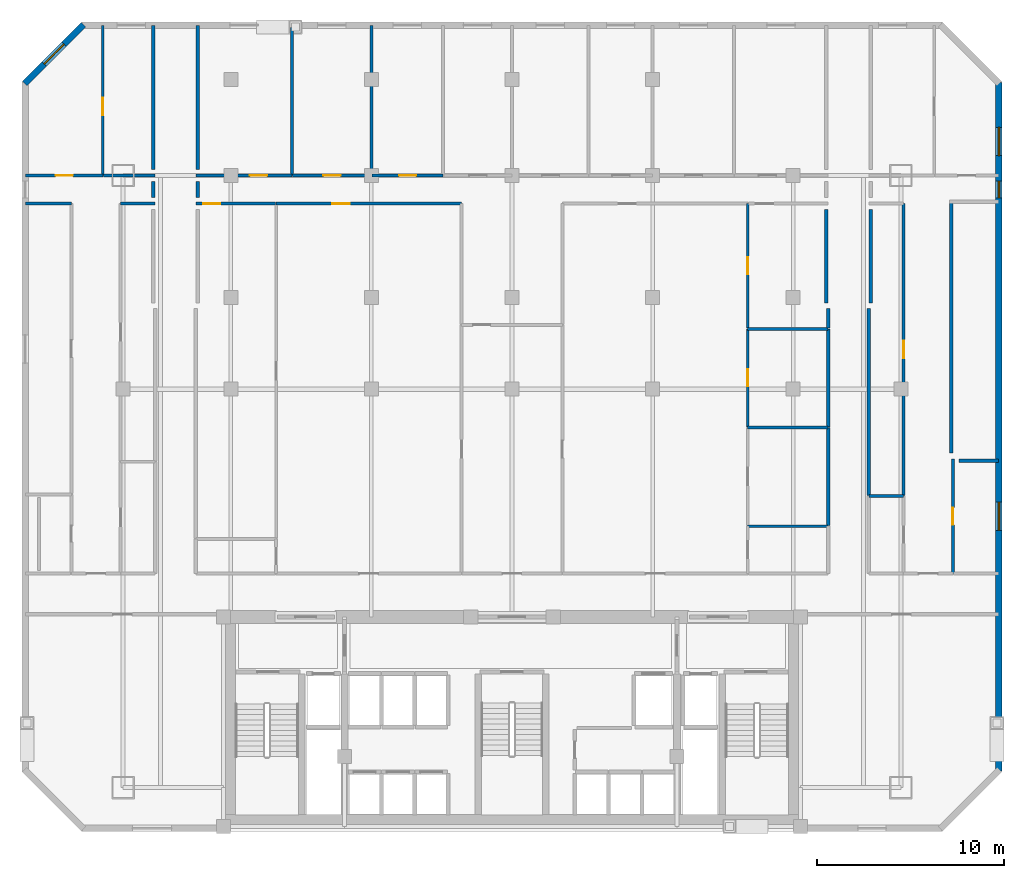
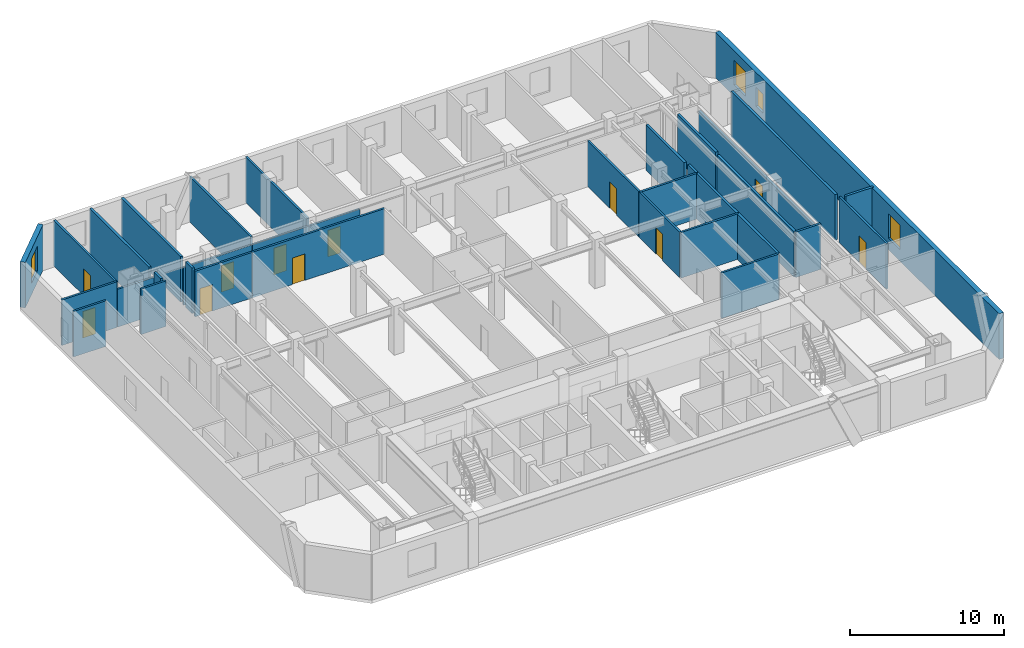
# One storey, part 5 of 8: 34 walls, 11 doors, 4 windows, 15 openings.
"""IFC4 building model written with IfcOpenShell, lengths in metres."""

from ifc_helpers import new_model, si_unit, direction, frame, frame_2d, origin, place, context, subcontext, project, spatial, rectangle, extrude, material, layer, layer_set, type_object, element, fill, save


model = new_model("IFC4")

# Units and contexts
model_context = context("Model", 3, precision=1e-05, world=origin(), true_north=direction((0.0, 1.0)))
body_context = subcontext(model_context, "Body", "Model", "MODEL_VIEW")
ifc_project = project(units=[si_unit("LENGTHUNIT", "METRE"), si_unit("AREAUNIT", "SQUARE_METRE"), si_unit("VOLUMEUNIT", "CUBIC_METRE"), si_unit("PLANEANGLEUNIT", "RADIAN"), si_unit("MASSUNIT", "GRAM", prefix="KILO")], contexts=[model_context])

# Site, building, storey
site_placement = place(None, origin())
site = spatial("IfcSite", under=ifc_project, at=site_placement, CompositionType="ELEMENT")
building_placement = place(site_placement, origin())
building = spatial("IfcBuilding", under=site, at=building_placement, Name="Ventersveld Concourse Tower", CompositionType="ELEMENT")
storey_placement = place(building_placement, frame((0.0, 0.0, 127.25)))
storey = spatial("IfcBuildingStorey", under=building, at=storey_placement, Name="L31", CompositionType="ELEMENT", Elevation=127.25)

# Walls
ifc_material_1 = material(Name="Fire-rated autoclaved aerated masonry blockwork", Category="masonry")
ifc_layer_1 = layer(ifc_material_1, 0.179931640625)
ifc_layer_set_1 = layer_set([ifc_layer_1], Name="Fire-rated autoclaved aerated masonry blockwork")
wall_type_1 = type_object("IfcWallType", Name="WL-CORR-180", PredefinedType="PARTITIONING", material=ifc_layer_set_1)
wall_1_placement = place(storey_placement, frame((47.7900390625, 17.931396484375, 0.0), z_axis=(0.0, 0.0, 1.0), x_axis=(0.0, 1.0, 0.0)))
element("IfcWall", 1, at=wall_1_placement, inside=storey, type_object=wall_type_1, Name="L31 Interior Partition SP-L31-COR-SP-L31-31NE-OFFL0", PredefinedType="PARTITIONING", context=body_context, shape_type="SweptSolid", body=[
    extrude(rectangle(XDim=9.963623046875, YDim=0.179931640625, at=frame_2d((4.98193359375, 0.0))), origin(), (0.0, 0.0, 1.0), 3.60009765625),
])
for number, where, z_axis, x_axis, name in (
    (2, (45.610107421875, 16.326416015625, 0.0), (0.0, 0.0, 1.0), (0.0, 1.0, 0.0), "L31 Interior Partition SP-L31-COR-SP-L31-31N1-DENR"),
    (3, (45.610107421875, 21.590087890625, 0.0), (0.0, 0.0, 1.0), (0.0, 1.0, 0.0), "L31 Interior Partition SP-L31-COR-SP-L31-31N1-DENS"),
):
    element("IfcWall", number, at=place(storey_placement, frame(where, z_axis=z_axis, x_axis=x_axis)), inside=storey, type_object=wall_type_1, Name=name, PredefinedType="PARTITIONING", context=body_context, shape_type="SweptSolid", body=[
        extrude(rectangle(XDim=5.23388671875, YDim=0.179931640625, at=frame_2d((2.616943359375, 0.0))), origin(), (0.0, 0.0, 1.0), 3.60009765625),
    ])
wall_2_placement = place(storey_placement, frame((45.610107421875, 26.85400390625, 0.0), z_axis=(0.0, 0.0, 1.0), x_axis=(0.0, 1.0, 0.0)))
element("IfcWall", 4, at=wall_2_placement, inside=storey, type_object=wall_type_1, Name="L31 Interior Partition SP-L31-COR-SP-L31-31N1-DENS2", PredefinedType="PARTITIONING", context=body_context, shape_type="SweptSolid", body=[
    extrude(rectangle(XDim=1.041015625, YDim=0.179931640625, at=frame_2d((0.5205078125, 0.0))), origin(), (0.0, 0.0, 1.0), 3.60009765625),
])
wall_3_placement = place(storey_placement, frame((9.6201171875, 34.675048828125, 0.0), z_axis=(0.0, 0.0, 1.0), x_axis=(0.0, -1.0, 0.0)))
element("IfcWall", 5, at=wall_3_placement, inside=storey, type_object=wall_type_1, Name="L31 Room Enclosure Wall SP-L31-31NW-LIV", PredefinedType="PARTITIONING", context=body_context, shape_type="SweptSolid", body=[
    extrude(rectangle(XDim=0.85009765625, YDim=0.179931640625, at=frame_2d((0.425048828125, 0.0))), origin(), (0.0, 0.0, 1.0), 3.60009765625),
])
wall_4_placement = place(storey_placement, frame((9.6201171875, 42.989990234375, 0.0), z_axis=(0.0, 0.0, 1.0), x_axis=(0.0, -1.0, 0.0)))
element("IfcWall", 6, at=wall_4_placement, inside=storey, type_object=wall_type_1, Name="L31 Room Enclosure Wall SP-L31-31NW-BR2", PredefinedType="PARTITIONING", context=body_context, shape_type="SweptSolid", body=[
    extrude(rectangle(XDim=7.6650390625, YDim=0.179931640625, at=frame_2d((3.83251953125, 0.0))), origin(), (0.0, 0.0, 1.0), 3.60009765625),
])
wall_5_placement = place(storey_placement, frame((52.178466796875, 33.68505859375, 0.0), z_axis=(0.0, 0.0, 1.0), x_axis=(0.0, -1.0, 0.0)))
element("IfcWall", 7, at=wall_5_placement, inside=storey, type_object=wall_type_1, Name="L31 Room Enclosure Wall SP-L31-31NE-LIV", PredefinedType="PARTITIONING", context=body_context, shape_type="SweptSolid", body=[
    extrude(rectangle(XDim=13.4951171875, YDim=0.179931640625, at=frame_2d((6.74755859375, 0.0))), origin(), (0.0, 0.0, 1.0), 3.60009765625),
])
wall_6_placement = place(storey_placement, frame((47.8798828125, 28.2099609375, 0.0), z_axis=(0.0, 0.0, 1.0), x_axis=(0.0, 1.0, 0.0)))
element("IfcWall", 8, at=wall_6_placement, inside=storey, type_object=wall_type_1, Name="L31 Room Enclosure Wall SP-L31-31NE-OFFL0", PredefinedType="PARTITIONING", context=body_context, shape_type="SweptSolid", body=[
    extrude(rectangle(XDim=4.965087890625, YDim=0.179931640625, at=frame_2d((2.482421875, 0.0))), origin(), (0.0, 0.0, 1.0), 3.60009765625),
])
wall_7_placement = place(storey_placement, frame((52.593505859375, 19.780029296875, 0.0), z_axis=(0.0, 0.0, 1.0), x_axis=(1.0, 0.0, 0.0)))
element("IfcWall", 9, at=wall_7_placement, inside=storey, type_object=wall_type_1, Name="L31 Room Enclosure Wall SP-L31-31NE-KIT", PredefinedType="PARTITIONING", context=body_context, shape_type="SweptSolid", body=[
    extrude(rectangle(XDim=2.096435546875, YDim=0.179931640625, at=frame_2d((1.04833984375, 0.0))), origin(), (0.0, 0.0, 1.0), 3.60009765625),
])
wall_8_placement = place(storey_placement, frame((11.97998046875, 33.824951171875, 0.0), z_axis=(0.0, 0.0, 1.0), x_axis=(0.0, 1.0, 0.0)))
element("IfcWall", 10, at=wall_8_placement, inside=storey, type_object=wall_type_1, Name="L31 Room Enclosure Wall SP-L31-31N1-LIV", PredefinedType="PARTITIONING", context=body_context, shape_type="SweptSolid", body=[
    extrude(rectangle(XDim=0.85009765625, YDim=0.179931640625, at=frame_2d((0.425048828125, 0.0))), origin(), (0.0, 0.0, 1.0), 3.60009765625),
])
wall_9_placement = place(storey_placement, frame((45.52001953125, 33.175048828125, 0.0), z_axis=(0.0, 0.0, 1.0), x_axis=(0.0, -1.0, 0.0)))
element("IfcWall", 11, at=wall_9_placement, inside=storey, type_object=wall_type_1, Name="L31 Room Enclosure Wall SP-L31-31N1-DENS2", PredefinedType="PARTITIONING", context=body_context, shape_type="SweptSolid", body=[
    extrude(rectangle(XDim=4.965087890625, YDim=0.179931640625, at=frame_2d((2.482421875, 0.0))), origin(), (0.0, 0.0, 1.0), 3.60009765625),
])
wall_10_placement = place(storey_placement, frame((11.97998046875, 35.324951171875, 0.0), z_axis=(0.0, 0.0, 1.0), x_axis=(0.0, 1.0, 0.0)))
element("IfcWall", 12, at=wall_10_placement, inside=storey, type_object=wall_type_1, Name="L31 Room Enclosure Wall SP-L31-31N1-BR1", PredefinedType="PARTITIONING", context=body_context, shape_type="SweptSolid", body=[
    extrude(rectangle(XDim=7.6650390625, YDim=0.179931640625, at=frame_2d((3.83251953125, 0.0))), origin(), (0.0, 0.0, 1.0), 3.60009765625),
])
ifc_material_2 = material(Name="Autoclaved aerated masonry blockwork", Category="masonry")
ifc_layer_2 = layer(ifc_material_2, 0.14990234375)
ifc_layer_set_2 = layer_set([ifc_layer_2], Name="Autoclaved aerated masonry blockwork")
wall_type_2 = type_object("IfcWallType", Name="WL-INT-150", PredefinedType="PARTITIONING", material=ifc_layer_set_2)
wall_11_placement = place(storey_placement, frame((2.81005859375, 33.5, 0.0), z_axis=(0.0, 0.0, 1.0), x_axis=(1.0, 0.0, 0.0)))
element("IfcWall", 13, at=wall_11_placement, inside=storey, type_object=wall_type_2, Name="L31 Interior Partition SP-L31-31NW-LIV-SP-L31-31NW-OFFL0", PredefinedType="PARTITIONING", context=body_context, shape_type="SweptSolid", body=[
    extrude(rectangle(XDim=2.439208984375, YDim=0.14990234375, at=frame_2d((1.2197265625, 0.0))), origin(), (0.0, 0.0, 1.0), 3.60009765625),
])
wall_12_placement = place(storey_placement, frame((7.865234375, 33.5, 0.0), z_axis=(0.0, 0.0, 1.0), x_axis=(1.0, 0.0, 0.0)))
element("IfcWall", 14, at=wall_12_placement, inside=storey, type_object=wall_type_2, Name="L31 Interior Partition SP-L31-31NW-LIV-SP-L31-31NW-OFFR1", PredefinedType="PARTITIONING", context=body_context, shape_type="SweptSolid", body=[
    extrude(rectangle(XDim=1.849853515625, YDim=0.14990234375, at=frame_2d((0.9248046875, 0.0))), origin(), (0.0, 0.0, 1.0), 3.60009765625),
])

# Wall, opening, door
wall_13_placement = place(storey_placement, frame((2.81005859375, 35.0, 0.0), z_axis=(0.0, 0.0, 1.0), x_axis=(1.0, 0.0, 0.0)))
wall_13 = element("IfcWall", 15, at=wall_13_placement, inside=storey, type_object=wall_type_2, Name="L31 Interior Partition SP-L31-31NW-LIV-SP-L31-31NW-BR1", PredefinedType="PARTITIONING", context=body_context, shape_type="SweptSolid", body=[
    extrude(rectangle(XDim=4.113037109375, YDim=0.14990234375, at=frame_2d((2.056640625, 0.0))), origin(), (0.0, 0.0, 1.0), 3.60009765625),
])
opening_1_placement = place(wall_13_placement, frame((1.5966796875, 0.0, 0.0)))
opening_1 = element("IfcOpeningElement", 16, at=opening_1_placement, cuts=wall_13, Name="Opening ID1", PredefinedType="OPENING", context=body_context, shape_type="SweptSolid", body=[
    extrude(rectangle(XDim=0.919921875, YDim=2.10009765625, at=frame_2d((0.4599609375, 1.050048828125))), frame((0.0, 0.0849609375, 0.0), z_axis=(0.0, -1.0, 0.0), x_axis=(1.0, 0.0, 0.0)), (0.0, 0.0, 1.0), 0.169921875),
])
ifc_material_3 = material(Name="Solid-core hardwood veneer timber", Category="wood")
door_type = type_object("IfcDoorType", Name="DR-ROOM-092", OperationType="NOTDEFINED", PredefinedType="DOOR", material=ifc_material_3)
door_1_placement = place(opening_1_placement, origin())
door_1 = element("IfcDoor", 17, at=door_1_placement, inside=storey, type_object=door_type, Name="L31 Interior Door SP-L31-31NW-LIV to SP-L31-31NW-BR1 (D-L31-1554)", OperationType="SINGLE_SWING_RIGHT", OverallHeight=2.10009765625, OverallWidth=0.919921875, PredefinedType="DOOR", context=body_context, shape_type="SweptSolid", body=[
    extrude(rectangle(XDim=0.919921875, YDim=2.10009765625, at=frame_2d((0.4599609375, 1.050048828125))), frame((0.0, 0.02490234375, 0.0), z_axis=(0.0, -1.0, 0.0), x_axis=(1.0, 0.0, 0.0)), (0.0, 0.0, 1.0), 0.050048828125),
])
fill(opening_1, door_1)

# Wall
wall_14_placement = place(storey_placement, frame((6.953125, 35.0, 0.0), z_axis=(0.0, 0.0, 1.0), x_axis=(1.0, 0.0, 0.0)))
element("IfcWall", 18, at=wall_14_placement, inside=storey, type_object=wall_type_2, Name="L31 Interior Partition SP-L31-31NW-LIV-SP-L31-31NW-BR2", PredefinedType="PARTITIONING", context=body_context, shape_type="SweptSolid", body=[
    extrude(rectangle(XDim=2.761962890625, YDim=0.14990234375, at=frame_2d((1.380859375, 0.0))), origin(), (0.0, 0.0, 1.0), 2.98291015625),
])

# Wall, opening, door
wall_15_placement = place(storey_placement, frame((6.918212890625, 34.9951171875, 0.0), z_axis=(0.0, 0.0, 1.0), x_axis=(0.0, 1.0, 0.0)))
wall_15 = element("IfcWall", 19, at=wall_15_placement, inside=storey, type_object=wall_type_2, Name="L31 Interior Partition SP-L31-31NW-BR1-SP-L31-31NW-BR2", PredefinedType="PARTITIONING", context=body_context, shape_type="SweptSolid", body=[
    extrude(rectangle(XDim=7.994873046875, YDim=0.14990234375, at=frame_2d((3.99755859375, 0.0))), origin(), (0.0, 0.0, 1.0), 3.60009765625),
])
opening_2_placement = place(wall_15_placement, frame((3.22998046875, 0.0, 0.0)))
opening_2 = element("IfcOpeningElement", 20, at=opening_2_placement, cuts=wall_15, Name="Opening ID1", PredefinedType="OPENING", context=body_context, shape_type="SweptSolid", body=[
    extrude(rectangle(XDim=0.919921875, YDim=2.10009765625, at=frame_2d((0.4599609375, 1.050048828125))), frame((0.0, 0.0849609375, 0.0), z_axis=(0.0, -1.0, 0.0), x_axis=(1.0, 0.0, 0.0)), (0.0, 0.0, 1.0), 0.169921875),
])
door_2_placement = place(opening_2_placement, origin())
door_2 = element("IfcDoor", 21, at=door_2_placement, inside=storey, type_object=door_type, Name="L31 Interior Door Flat 31NW Bedroom 2 (D-L31-1582)", OperationType="SINGLE_SWING_LEFT", OverallHeight=2.10009765625, OverallWidth=0.919921875, PredefinedType="DOOR", context=body_context, shape_type="SweptSolid", body=[
    extrude(rectangle(XDim=0.919921875, YDim=2.10009765625, at=frame_2d((0.4599609375, 1.050048828125))), frame((0.0, 0.02490234375, 0.0), z_axis=(0.0, -1.0, 0.0), x_axis=(1.0, 0.0, 0.0)), (0.0, 0.0, 1.0), 0.050048828125),
])
fill(opening_2, door_2)

wall_16_placement = place(storey_placement, frame((49.642333984375, 17.931396484375, 0.0), z_axis=(0.0, 0.0, 1.0), x_axis=(0.0, 1.0, 0.0)))
wall_16 = element("IfcWall", 22, at=wall_16_placement, inside=storey, type_object=wall_type_2, Name="L31 Interior Partition SP-L31-31NE-LIV-SP-L31-31NE-OFFL0", PredefinedType="PARTITIONING", context=body_context, shape_type="SweptSolid", body=[
    extrude(rectangle(XDim=15.573486328125, YDim=0.14990234375, at=frame_2d((7.78662109375, 0.0))), origin(), (0.0, 0.0, 1.0), 3.055419921875),
])
opening_3_placement = place(wall_16_placement, frame((7.326904296875, 0.0, 0.0)))
opening_3 = element("IfcOpeningElement", 23, at=opening_3_placement, cuts=wall_16, Name="Opening ID1", PredefinedType="OPENING", context=body_context, shape_type="SweptSolid", body=[
    extrude(rectangle(XDim=0.919921875, YDim=2.10009765625, at=frame_2d((0.4599609375, 1.050048828125))), frame((0.0, 0.0849609375, 0.0), z_axis=(0.0, -1.0, 0.0), x_axis=(1.0, 0.0, 0.0)), (0.0, 0.0, 1.0), 0.169921875),
])
door_3_placement = place(opening_3_placement, origin())
door_3 = element("IfcDoor", 24, at=door_3_placement, inside=storey, type_object=door_type, Name="L31 Interior Door SP-L31-31NE-LIV to SP-L31-31NE-OFFL0 (D-L31-1557)", OperationType="SINGLE_SWING_LEFT", OverallHeight=2.10009765625, OverallWidth=0.919921875, PredefinedType="DOOR", context=body_context, shape_type="SweptSolid", body=[
    extrude(rectangle(XDim=0.919921875, YDim=2.10009765625, at=frame_2d((0.4599609375, 1.050048828125))), frame((0.0, 0.02490234375, 0.0), z_axis=(0.0, -1.0, 0.0), x_axis=(1.0, 0.0, 0.0)), (0.0, 0.0, 1.0), 0.050048828125),
])
fill(opening_3, door_3)

wall_17_placement = place(storey_placement, frame((52.268310546875, 13.764892578125, 0.0), z_axis=(0.0, 0.0, 1.0), x_axis=(0.0, 1.0, 0.0)))
wall_17 = element("IfcWall", 25, at=wall_17_placement, inside=storey, type_object=wall_type_2, Name="L31 Interior Partition SP-L31-31NE-LIV-SP-L31-31NE-KIT", PredefinedType="PARTITIONING", context=body_context, shape_type="SweptSolid", body=[
    extrude(rectangle(XDim=6.110107421875, YDim=0.14990234375, at=frame_2d((3.05517578125, 0.0))), origin(), (0.0, 0.0, 1.0), 3.60009765625),
])
opening_4_placement = place(wall_17_placement, frame((2.594970703125, 0.0, 0.0)))
opening_4 = element("IfcOpeningElement", 26, at=opening_4_placement, cuts=wall_17, Name="Opening ID1", PredefinedType="OPENING", context=body_context, shape_type="SweptSolid", body=[
    extrude(rectangle(XDim=0.919921875, YDim=2.10009765625, at=frame_2d((0.4599609375, 1.050048828125))), frame((0.0, 0.0849609375, 0.0), z_axis=(0.0, -1.0, 0.0), x_axis=(1.0, 0.0, 0.0)), (0.0, 0.0, 1.0), 0.169921875),
])
door_4_placement = place(opening_4_placement, origin())
door_4 = element("IfcDoor", 27, at=door_4_placement, inside=storey, type_object=door_type, Name="L31 Interior Door SP-L31-31NE-LIV to SP-L31-31NE-KIT (D-L31-1558)", OperationType="SINGLE_SWING_RIGHT", OverallHeight=2.10009765625, OverallWidth=0.919921875, PredefinedType="DOOR", context=body_context, shape_type="SweptSolid", body=[
    extrude(rectangle(XDim=0.919921875, YDim=2.10009765625, at=frame_2d((0.4599609375, 1.050048828125))), frame((0.0, 0.02490234375, 0.0), z_axis=(0.0, -1.0, 0.0), x_axis=(1.0, 0.0, 0.0)), (0.0, 0.0, 1.0), 0.050048828125),
])
fill(opening_4, door_4)

wall_18_placement = place(storey_placement, frame((16.1650390625, 33.5, 0.0), z_axis=(0.0, 0.0, 1.0), x_axis=(1.0, 0.0, 0.0)))
wall_18 = element("IfcWall", 28, at=wall_18_placement, inside=storey, type_object=wall_type_2, Name="L31 Interior Partition SP-L31-31N1-WGAL1-SP-L31-31N1-LIV", PredefinedType="PARTITIONING", context=body_context, shape_type="SweptSolid", body=[
    extrude(rectangle(XDim=9.89990234375, YDim=0.14990234375, at=frame_2d((4.949951171875, 0.0))), origin(), (0.0, 0.0, 1.0), 3.60009765625),
])
opening_5_placement = place(wall_18_placement, frame((3.0048828125, 0.0, 0.0)))
opening_5 = element("IfcOpeningElement", 29, at=opening_5_placement, cuts=wall_18, Name="Opening ID1", PredefinedType="OPENING", context=body_context, shape_type="SweptSolid", body=[
    extrude(rectangle(XDim=0.919921875, YDim=2.10009765625, at=frame_2d((0.4599609375, 1.050048828125))), frame((0.0, 0.0849609375, 0.0), z_axis=(0.0, -1.0, 0.0), x_axis=(1.0, 0.0, 0.0)), (0.0, 0.0, 1.0), 0.169921875),
])
door_5_placement = place(opening_5_placement, origin())
door_5 = element("IfcDoor", 30, at=door_5_placement, inside=storey, type_object=door_type, Name="L31 Interior Door SP-L31-31N1-WGAL1 to SP-L31-31N1-LIV (D-L31-1562)", OperationType="SINGLE_SWING_RIGHT", OverallHeight=2.10009765625, OverallWidth=0.919921875, PredefinedType="DOOR", context=body_context, shape_type="SweptSolid", body=[
    extrude(rectangle(XDim=0.919921875, YDim=2.10009765625, at=frame_2d((0.4599609375, 1.050048828125))), frame((0.0, 0.02490234375, 0.0), z_axis=(0.0, -1.0, 0.0), x_axis=(1.0, 0.0, 0.0)), (0.0, 0.0, 1.0), 0.050048828125),
])
fill(opening_5, door_5)

wall_19_placement = place(storey_placement, frame((41.330078125, 21.590087890625, 0.0), z_axis=(0.0, 0.0, 1.0), x_axis=(0.0, 1.0, 0.0)))
wall_19 = element("IfcWall", 31, at=wall_19_placement, inside=storey, type_object=wall_type_2, Name="L31 Interior Partition SP-L31-31N1-EGAL1-SP-L31-31N1-DENS", PredefinedType="PARTITIONING", context=body_context, shape_type="SweptSolid", body=[
    extrude(rectangle(XDim=5.23388671875, YDim=0.14990234375, at=frame_2d((2.616943359375, 0.0))), origin(), (0.0, 0.0, 1.0), 3.60009765625),
])
opening_6_placement = place(wall_19_placement, frame((2.15673828125, 0.0, 0.0)))
opening_6 = element("IfcOpeningElement", 32, at=opening_6_placement, cuts=wall_19, Name="Opening ID1", PredefinedType="OPENING", context=body_context, shape_type="SweptSolid", body=[
    extrude(rectangle(XDim=0.919921875, YDim=2.10009765625, at=frame_2d((0.4599609375, 1.050048828125))), frame((0.0, 0.0849609375, 0.0), z_axis=(0.0, -1.0, 0.0), x_axis=(1.0, 0.0, 0.0)), (0.0, 0.0, 1.0), 0.169921875),
])
door_6_placement = place(opening_6_placement, origin())
door_6 = element("IfcDoor", 33, at=door_6_placement, inside=storey, type_object=door_type, Name="L31 Interior Door SP-L31-31N1-EGAL1 to SP-L31-31N1-DENS (D-L31-1569)", OperationType="SINGLE_SWING_LEFT", OverallHeight=2.10009765625, OverallWidth=0.919921875, PredefinedType="DOOR", context=body_context, shape_type="SweptSolid", body=[
    extrude(rectangle(XDim=0.919921875, YDim=2.10009765625, at=frame_2d((0.4599609375, 1.050048828125))), frame((0.0, 0.02490234375, 0.0), z_axis=(0.0, -1.0, 0.0), x_axis=(1.0, 0.0, 0.0)), (0.0, 0.0, 1.0), 0.050048828125),
])
fill(opening_6, door_6)

wall_20_placement = place(storey_placement, frame((41.330078125, 26.85400390625, 0.0), z_axis=(0.0, 0.0, 1.0), x_axis=(0.0, 1.0, 0.0)))
wall_20 = element("IfcWall", 34, at=wall_20_placement, inside=storey, type_object=wall_type_2, Name="L31 Interior Partition SP-L31-31N1-EGAL1-SP-L31-31N1-DENS2", PredefinedType="PARTITIONING", context=body_context, shape_type="SweptSolid", body=[
    extrude(rectangle(XDim=6.65087890625, YDim=0.14990234375, at=frame_2d((3.325439453125, 0.0))), origin(), (0.0, 0.0, 1.0), 3.60009765625),
])
opening_7_placement = place(wall_20_placement, frame((2.865478515625, 0.0, 0.0)))
opening_7 = element("IfcOpeningElement", 35, at=opening_7_placement, cuts=wall_20, Name="Opening ID1", PredefinedType="OPENING", context=body_context, shape_type="SweptSolid", body=[
    extrude(rectangle(XDim=0.919921875, YDim=2.10009765625, at=frame_2d((0.4599609375, 1.050048828125))), frame((0.0, 0.0849609375, 0.0), z_axis=(0.0, -1.0, 0.0), x_axis=(1.0, 0.0, 0.0)), (0.0, 0.0, 1.0), 0.169921875),
])
door_7_placement = place(opening_7_placement, origin())
door_7 = element("IfcDoor", 36, at=door_7_placement, inside=storey, type_object=door_type, Name="L31 Interior Door SP-L31-31N1-EGAL1 to SP-L31-31N1-DENS2 (D-L31-1570)", OperationType="SINGLE_SWING_RIGHT", OverallHeight=2.10009765625, OverallWidth=0.919921875, PredefinedType="DOOR", context=body_context, shape_type="SweptSolid", body=[
    extrude(rectangle(XDim=0.919921875, YDim=2.10009765625, at=frame_2d((0.4599609375, 1.050048828125))), frame((0.0, 0.02490234375, 0.0), z_axis=(0.0, -1.0, 0.0), x_axis=(1.0, 0.0, 0.0)), (0.0, 0.0, 1.0), 0.050048828125),
])
fill(opening_7, door_7)

wall_21_placement = place(storey_placement, frame((11.885009765625, 33.5, 0.0), z_axis=(0.0, 0.0, 1.0), x_axis=(1.0, 0.0, 0.0)))
wall_21 = element("IfcWall", 37, at=wall_21_placement, inside=storey, type_object=wall_type_2, Name="L31 Interior Partition SP-L31-31N1-LIV-SP-L31-31N1-OFFL0", PredefinedType="PARTITIONING", context=body_context, shape_type="SweptSolid", body=[
    extrude(rectangle(XDim=4.25, YDim=0.14990234375, at=frame_2d((2.125, 0.0))), origin(), (0.0, 0.0, 1.0), 3.60009765625),
])
opening_8_placement = place(wall_21_placement, frame((0.389892578125, 0.0, 0.0)))
opening_8 = element("IfcOpeningElement", 38, at=opening_8_placement, cuts=wall_21, Name="Opening ID1", PredefinedType="OPENING", context=body_context, shape_type="SweptSolid", body=[
    extrude(rectangle(XDim=0.919921875, YDim=2.10009765625, at=frame_2d((0.4599609375, 1.050048828125))), frame((0.0, 0.0849609375, 0.0), z_axis=(0.0, -1.0, 0.0), x_axis=(1.0, 0.0, 0.0)), (0.0, 0.0, 1.0), 0.169921875),
])
door_8_placement = place(opening_8_placement, origin())
door_8 = element("IfcDoor", 39, at=door_8_placement, inside=storey, type_object=door_type, Name="L31 Interior Door SP-L31-31N1-LIV to SP-L31-31N1-OFFL0 (D-L31-1572)", OperationType="SINGLE_SWING_RIGHT", OverallHeight=2.10009765625, OverallWidth=0.919921875, PredefinedType="DOOR", context=body_context, shape_type="SweptSolid", body=[
    extrude(rectangle(XDim=0.919921875, YDim=2.10009765625, at=frame_2d((0.4599609375, 1.050048828125))), frame((0.0, 0.02490234375, 0.0), z_axis=(0.0, -1.0, 0.0), x_axis=(1.0, 0.0, 0.0)), (0.0, 0.0, 1.0), 0.050048828125),
])
fill(opening_8, door_8)

wall_22_placement = place(storey_placement, frame((11.885009765625, 35.0, 0.0), z_axis=(0.0, 0.0, 1.0), x_axis=(1.0, 0.0, 0.0)))
wall_22 = element("IfcWall", 40, at=wall_22_placement, inside=storey, type_object=wall_type_2, Name="L31 Interior Partition SP-L31-31N1-LIV-SP-L31-31N1-BR1", PredefinedType="PARTITIONING", context=body_context, shape_type="SweptSolid", body=[
    extrude(rectangle(XDim=5.135986328125, YDim=0.14990234375, at=frame_2d((2.56787109375, 0.0))), origin(), (0.0, 0.0, 1.0), 2.98291015625),
])
opening_9_placement = place(wall_22_placement, frame((2.87841796875, 0.0, 0.0)))
opening_9 = element("IfcOpeningElement", 41, at=opening_9_placement, cuts=wall_22, Name="Opening ID1", PredefinedType="OPENING", context=body_context, shape_type="SweptSolid", body=[
    extrude(rectangle(XDim=0.919921875, YDim=2.10009765625, at=frame_2d((0.4599609375, 1.050048828125))), frame((0.0, 0.0849609375, 0.0), z_axis=(0.0, -1.0, 0.0), x_axis=(1.0, 0.0, 0.0)), (0.0, 0.0, 1.0), 0.169921875),
])
door_9_placement = place(opening_9_placement, origin())
door_9 = element("IfcDoor", 42, at=door_9_placement, inside=storey, type_object=door_type, Name="L31 Interior Door SP-L31-31N1-LIV to SP-L31-31N1-BR1 (D-L31-1574)", OperationType="SINGLE_SWING_RIGHT", OverallHeight=2.10009765625, OverallWidth=0.919921875, PredefinedType="DOOR", context=body_context, shape_type="SweptSolid", body=[
    extrude(rectangle(XDim=0.919921875, YDim=2.10009765625, at=frame_2d((0.4599609375, 1.050048828125))), frame((0.0, 0.02490234375, 0.0), z_axis=(0.0, -1.0, 0.0), x_axis=(1.0, 0.0, 0.0)), (0.0, 0.0, 1.0), 0.050048828125),
])
fill(opening_9, door_9)

wall_23_placement = place(storey_placement, frame((17.051025390625, 35.0, 0.0), z_axis=(0.0, 0.0, 1.0), x_axis=(1.0, 0.0, 0.0)))
wall_23 = element("IfcWall", 43, at=wall_23_placement, inside=storey, type_object=wall_type_2, Name="L31 Interior Partition SP-L31-31N1-LIV-SP-L31-31N1-BR2", PredefinedType="PARTITIONING", context=body_context, shape_type="SweptSolid", body=[
    extrude(rectangle(XDim=4.203857421875, YDim=0.14990234375, at=frame_2d((2.10205078125, 0.0))), origin(), (0.0, 0.0, 1.0), 2.98291015625),
])
opening_10_placement = place(wall_23_placement, frame((1.641845703125, 0.0, 0.0)))
opening_10 = element("IfcOpeningElement", 44, at=opening_10_placement, cuts=wall_23, Name="Opening ID1", PredefinedType="OPENING", context=body_context, shape_type="SweptSolid", body=[
    extrude(rectangle(XDim=0.919921875, YDim=2.10009765625, at=frame_2d((0.4599609375, 1.050048828125))), frame((0.0, 0.0849609375, 0.0), z_axis=(0.0, -1.0, 0.0), x_axis=(1.0, 0.0, 0.0)), (0.0, 0.0, 1.0), 0.169921875),
])
door_10_placement = place(opening_10_placement, origin())
door_10 = element("IfcDoor", 45, at=door_10_placement, inside=storey, type_object=door_type, Name="L31 Interior Door SP-L31-31N1-LIV to SP-L31-31N1-BR2 (D-L31-1575)", OperationType="SINGLE_SWING_LEFT", OverallHeight=2.10009765625, OverallWidth=0.919921875, PredefinedType="DOOR", context=body_context, shape_type="SweptSolid", body=[
    extrude(rectangle(XDim=0.919921875, YDim=2.10009765625, at=frame_2d((0.4599609375, 1.050048828125))), frame((0.0, 0.02490234375, 0.0), z_axis=(0.0, -1.0, 0.0), x_axis=(1.0, 0.0, 0.0)), (0.0, 0.0, 1.0), 0.050048828125),
])
fill(opening_10, door_10)

wall_24_placement = place(storey_placement, frame((21.284912109375, 35.0, 0.0), z_axis=(0.0, 0.0, 1.0), x_axis=(1.0, 0.0, 0.0)))
wall_24 = element("IfcWall", 46, at=wall_24_placement, inside=storey, type_object=wall_type_2, Name="L31 Interior Partition SP-L31-31N1-LIV-SP-L31-31N1-BR3", PredefinedType="PARTITIONING", context=body_context, shape_type="SweptSolid", body=[
    extrude(rectangle(XDim=3.794677734375, YDim=0.14990234375, at=frame_2d((1.8974609375, 0.0))), origin(), (0.0, 0.0, 1.0), 2.98291015625),
])
opening_11_placement = place(wall_24_placement, frame((1.437255859375, 0.0, 0.0)))
opening_11 = element("IfcOpeningElement", 47, at=opening_11_placement, cuts=wall_24, Name="Opening ID1", PredefinedType="OPENING", context=body_context, shape_type="SweptSolid", body=[
    extrude(rectangle(XDim=0.919921875, YDim=2.10009765625, at=frame_2d((0.4599609375, 1.050048828125))), frame((0.0, 0.0849609375, 0.0), z_axis=(0.0, -1.0, 0.0), x_axis=(1.0, 0.0, 0.0)), (0.0, 0.0, 1.0), 0.169921875),
])
door_11_placement = place(opening_11_placement, origin())
door_11 = element("IfcDoor", 48, at=door_11_placement, inside=storey, type_object=door_type, Name="L31 Interior Door SP-L31-31N1-LIV to SP-L31-31N1-BR3 (D-L31-1576)", OperationType="SINGLE_SWING_RIGHT", OverallHeight=2.10009765625, OverallWidth=0.919921875, PredefinedType="DOOR", context=body_context, shape_type="SweptSolid", body=[
    extrude(rectangle(XDim=0.919921875, YDim=2.10009765625, at=frame_2d((0.4599609375, 1.050048828125))), frame((0.0, 0.02490234375, 0.0), z_axis=(0.0, -1.0, 0.0), x_axis=(1.0, 0.0, 0.0)), (0.0, 0.0, 1.0), 0.050048828125),
])
fill(opening_11, door_11)

# Walls
for number, where, z_axis, x_axis, name in (
    (49, (41.324951171875, 16.29150390625, 0.0), (0.0, 0.0, 1.0), (1.0, 0.0, 0.0), "L31 Interior Partition SP-L31-31N1-KIT-SP-L31-31N1-DENR"),
    (50, (41.324951171875, 21.55517578125, 0.0), (0.0, 0.0, 1.0), (1.0, 0.0, 0.0), "L31 Interior Partition SP-L31-31N1-DENR-SP-L31-31N1-DENS"),
    (51, (41.324951171875, 26.81884765625, 0.0), (0.0, 0.0, 1.0), (1.0, 0.0, 0.0), "L31 Interior Partition SP-L31-31N1-DENS-SP-L31-31N1-DENS2"),
):
    element("IfcWall", number, at=place(storey_placement, frame(where, z_axis=z_axis, x_axis=x_axis)), inside=storey, type_object=wall_type_2, Name=name, PredefinedType="PARTITIONING", context=body_context, shape_type="SweptSolid", body=[
        extrude(rectangle(XDim=4.2900390625, YDim=0.14990234375, at=frame_2d((2.14501953125, 0.0))), origin(), (0.0, 0.0, 1.0), 3.60009765625),
    ])
wall_25_placement = place(storey_placement, frame((17.01611328125, 34.9951171875, 0.0), z_axis=(0.0, 0.0, 1.0), x_axis=(0.0, 1.0, 0.0)))
element("IfcWall", 52, at=wall_25_placement, inside=storey, type_object=wall_type_2, Name="L31 Interior Partition SP-L31-31N1-BR1-SP-L31-31N1-BR2", PredefinedType="PARTITIONING", context=body_context, shape_type="SweptSolid", body=[
    extrude(rectangle(XDim=7.906982421875, YDim=0.14990234375, at=frame_2d((3.95361328125, 0.0))), origin(), (0.0, 0.0, 1.0), 3.60009765625),
])
wall_26_placement = place(storey_placement, frame((21.25, 34.9951171875, 0.0), z_axis=(0.0, 0.0, 1.0), x_axis=(0.0, 1.0, 0.0)))
element("IfcWall", 53, at=wall_26_placement, inside=storey, type_object=wall_type_2, Name="L31 Interior Partition SP-L31-31N1-BR2-SP-L31-31N1-BR3", PredefinedType="PARTITIONING", context=body_context, shape_type="SweptSolid", body=[
    extrude(rectangle(XDim=7.994873046875, YDim=0.14990234375, at=frame_2d((3.99755859375, 0.0))), origin(), (0.0, 0.0, 1.0), 3.60009765625),
])

# Wall, openings, windows
ifc_material_4 = material(Name="Precast concrete C45/55", Category="concrete")
ifc_layer_3 = layer(ifc_material_4, 0.35009765625)
ifc_layer_set_3 = layer_set([ifc_layer_3], Name="Precast concrete C45/55")
wall_type_3 = type_object("IfcWallType", Name="WL-PREC-350", PredefinedType="SOLIDWALL", material=ifc_layer_set_3)
wall_27_placement = place(storey_placement, frame((54.72509765625, 3.239990234375, 0.0), z_axis=(0.0, 0.0, 1.0), x_axis=(0.0, 1.0, 0.0)))
wall_27 = element("IfcWall", 54, at=wall_27_placement, inside=storey, type_object=wall_type_3, Name="L31 Highveld Precast Facade Wall E03", PredefinedType="SOLIDWALL", context=body_context, shape_type="SweptSolid", body=[
    extrude(rectangle(XDim=36.719970703125, YDim=0.35009765625, at=frame_2d((18.35986328125, 0.0))), origin(), (0.0, 0.0, 1.0), 3.60009765625),
])
opening_12_placement = place(wall_27_placement, frame((30.56005859375, 0.0, 0.949951171875)))
opening_12 = element("IfcOpeningElement", 55, at=opening_12_placement, cuts=wall_27, Name="Opening W4", PredefinedType="OPENING", context=body_context, shape_type="SweptSolid", body=[
    extrude(rectangle(XDim=0.89990234375, YDim=1.5, at=frame_2d((0.449951171875, 0.75))), frame((0.0, 0.18505859375, 0.0), z_axis=(0.0, -1.0, 0.0), x_axis=(1.0, 0.0, 0.0)), (0.0, 0.0, 1.0), 0.3701171875),
])
opening_13_placement = place(wall_27_placement, frame((12.830078125, 0.0, 0.89990234375)))
opening_13 = element("IfcOpeningElement", 56, at=opening_13_placement, cuts=wall_27, Name="Opening W1", PredefinedType="OPENING", context=body_context, shape_type="SweptSolid", body=[
    extrude(rectangle(XDim=1.5, YDim=1.949951171875, at=frame_2d((0.75, 0.97509765625))), frame((0.0, 0.18505859375, 0.0), z_axis=(0.0, -1.0, 0.0), x_axis=(1.0, 0.0, 0.0)), (0.0, 0.0, 1.0), 0.3701171875),
])
opening_14_placement = place(wall_27_placement, frame((32.822509765625, 0.0, 0.89990234375)))
opening_14 = element("IfcOpeningElement", 57, at=opening_14_placement, cuts=wall_27, Name="Opening W1", PredefinedType="OPENING", context=body_context, shape_type="SweptSolid", body=[
    extrude(rectangle(XDim=1.5, YDim=1.949951171875, at=frame_2d((0.75, 0.97509765625))), frame((0.0, 0.18505859375, 0.0), z_axis=(0.0, -1.0, 0.0), x_axis=(1.0, 0.0, 0.0)), (0.0, 0.0, 1.0), 0.3701171875),
])
ifc_material_5 = material(Name="Tempered acoustic Low-E IGU", Category="glass")
window_type_1 = type_object("IfcWindowType", Name="WIN-090x150", PartitioningType="SINGLE_PANEL", PredefinedType="WINDOW", material=ifc_material_5)
window_1_placement = place(opening_12_placement, origin())
window_1 = element("IfcWindow", 58, at=window_1_placement, inside=storey, type_object=window_type_1, Name="L31 Punched Low-E Window W-0401", OverallHeight=1.5, OverallWidth=0.89990234375, PartitioningType="SINGLE_PANEL", PredefinedType="WINDOW", context=body_context, shape_type="SweptSolid", body=[
    extrude(rectangle(XDim=0.89990234375, YDim=1.5, at=frame_2d((0.449951171875, 0.75))), frame((0.0, 0.030029296875, 0.0), z_axis=(0.0, -1.0, 0.0), x_axis=(1.0, 0.0, 0.0)), (0.0, 0.0, 1.0), 0.06005859375),
])
fill(opening_12, window_1)
window_type_2 = type_object("IfcWindowType", Name="WIN-150x210", PartitioningType="SINGLE_PANEL", PredefinedType="WINDOW", material=ifc_material_5)
window_2_placement = place(opening_13_placement, origin())
window_2 = element("IfcWindow", 59, at=window_2_placement, inside=storey, type_object=window_type_2, Name="L31 Punched Low-E Window W-0402", OverallHeight=1.949951171875, OverallWidth=1.5, PartitioningType="SINGLE_PANEL", PredefinedType="WINDOW", context=body_context, shape_type="SweptSolid", body=[
    extrude(rectangle(XDim=1.5, YDim=1.949951171875, at=frame_2d((0.75, 0.97509765625))), frame((0.0, 0.030029296875, 0.0), z_axis=(0.0, -1.0, 0.0), x_axis=(1.0, 0.0, 0.0)), (0.0, 0.0, 1.0), 0.06005859375),
])
fill(opening_13, window_2)
window_3_placement = place(opening_14_placement, origin())
window_3 = element("IfcWindow", 60, at=window_3_placement, inside=storey, type_object=window_type_2, Name="L31 Punched Low-E Window W-0404", OverallHeight=1.949951171875, OverallWidth=1.5, PartitioningType="SINGLE_PANEL", PredefinedType="WINDOW", context=body_context, shape_type="SweptSolid", body=[
    extrude(rectangle(XDim=1.5, YDim=1.949951171875, at=frame_2d((0.75, 0.97509765625))), frame((0.0, 0.030029296875, 0.0), z_axis=(0.0, -1.0, 0.0), x_axis=(1.0, 0.0, 0.0)), (0.0, 0.0, 1.0), 0.06005859375),
])
fill(opening_14, window_3)

# Wall, opening, window
wall_28_placement = place(storey_placement, frame((5.8955078125, 43.048095703125, 0.0), z_axis=(0.0, 0.0, 1.0), x_axis=(-0.707106781187, -0.707106781187, 0.0)))
wall_28 = element("IfcWall", 61, at=wall_28_placement, inside=storey, type_object=wall_type_3, Name="L31 Highveld Precast Facade Wall E06", PredefinedType="SOLIDWALL", context=body_context, shape_type="SweptSolid", body=[
    extrude(rectangle(XDim=4.445556640625, YDim=0.35009765625, at=frame_2d((2.22265625, 0.0))), origin(), (0.0, 0.0, 1.0), 3.60009765625),
])
opening_15_placement = place(wall_28_placement, frame((1.47265625, 0.0, 0.89990234375)))
opening_15 = element("IfcOpeningElement", 62, at=opening_15_placement, cuts=wall_28, Name="Opening W1", PredefinedType="OPENING", context=body_context, shape_type="SweptSolid", body=[
    extrude(rectangle(XDim=1.5, YDim=1.949951171875, at=frame_2d((0.75, 0.97509765625))), frame((0.0, 0.18505859375, 0.0), z_axis=(0.0, -1.0, 0.0), x_axis=(1.0, 0.0, 0.0)), (0.0, 0.0, 1.0), 0.3701171875),
])
window_4_placement = place(opening_15_placement, origin())
window_4 = element("IfcWindow", 63, at=window_4_placement, inside=storey, type_object=window_type_2, Name="L31 Punched Low-E Window W-0399", OverallHeight=1.949951171875, OverallWidth=1.5, PartitioningType="SINGLE_PANEL", PredefinedType="WINDOW", context=body_context, shape_type="SweptSolid", body=[
    extrude(rectangle(XDim=1.5, YDim=1.949951171875, at=frame_2d((0.75, 0.97509765625))), frame((0.0, 0.030029296875, 0.0), z_axis=(0.0, -1.0, 0.0), x_axis=(1.0, 0.0, 0.0)), (0.0, 0.0, 1.0), 0.06005859375),
])
fill(opening_15, window_4)

# Wall
ifc_layer_4 = layer(ifc_material_2, 0.1650390625)
ifc_layer_set_4 = layer_set([ifc_layer_4], Name="Autoclaved aerated masonry blockwork")
wall_type_4 = type_object("IfcWallType", Name="WL-WET-165", PredefinedType="PLUMBINGWALL", material=ifc_layer_set_4)
wall_29_placement = place(storey_placement, frame((47.784912109375, 17.896484375, 0.0), z_axis=(0.0, 0.0, 1.0), x_axis=(1.0, 0.0, 0.0)))
element("IfcWall", 64, at=wall_29_placement, inside=storey, type_object=wall_type_4, Name="L31 Interior Partition SP-L31-31NE-BATH-SP-L31-31NE-OFFL0", PredefinedType="PLUMBINGWALL", context=body_context, shape_type="SweptSolid", body=[
    extrude(rectangle(XDim=1.862548828125, YDim=0.1650390625, at=frame_2d((0.93115234375, 0.0))), origin(), (0.0, 0.0, 1.0), 3.60009765625),
])

save(model, "model.ifc")
